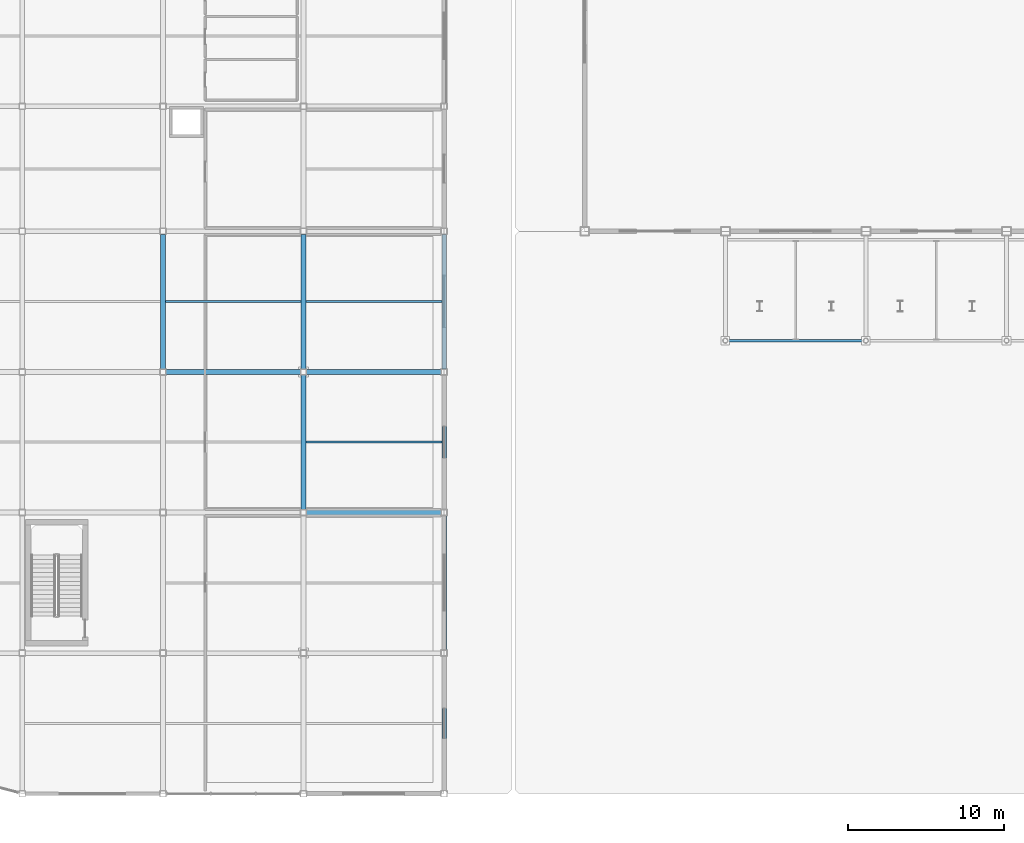
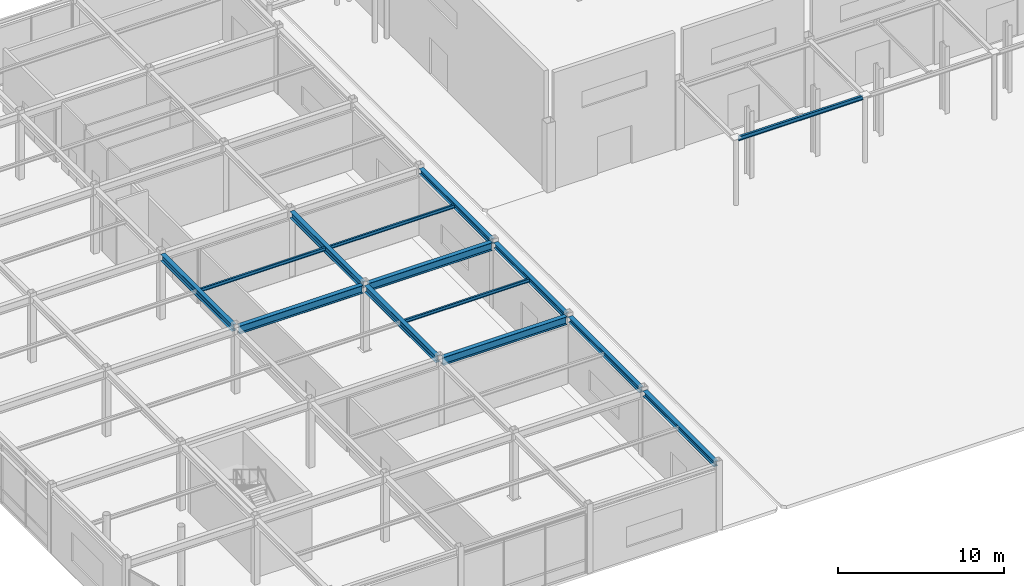
# One storey, part 30 of 123: 14 beams.
"""IFC4 building model written with IfcOpenShell, lengths in metres."""

from ifc_helpers import new_model, si_unit, direction, frame, origin, origin_2d, place, context, subcontext, project, spatial, i_section, extrude, material, material_profile, profile_set, type_object, element, save


model = new_model("IFC4")

# Units and contexts
model_context = context("Model", 3, precision=1e-05, world=origin(), true_north=direction((0.0, 1.0)))
body_context = subcontext(model_context, "Body", "Model", "MODEL_VIEW")
ifc_project = project(units=[si_unit("LENGTHUNIT", "METRE"), si_unit("AREAUNIT", "SQUARE_METRE"), si_unit("VOLUMEUNIT", "CUBIC_METRE"), si_unit("PLANEANGLEUNIT", "RADIAN"), si_unit("MASSUNIT", "GRAM", prefix="KILO")], contexts=[model_context])

# Site, building, storey
site_placement = place(None, origin())
site = spatial("IfcSite", under=ifc_project, at=site_placement, CompositionType="ELEMENT")
building_placement = place(site_placement, origin())
building = spatial("IfcBuilding", under=site, at=building_placement, Name="Suzunagisa Mobility Hub", CompositionType="ELEMENT")
storey_placement = place(building_placement, origin())
storey = spatial("IfcBuildingStorey", under=building, at=storey_placement, Name="L00", CompositionType="ELEMENT", Elevation=0.0)

# Beams
ifc_material_1 = material(Name="Steel SN490B", Category="steel")
ifc_material_profile_1 = material_profile(ifc_material_1, i_section(OverallWidth=0.300048828125, OverallDepth=0.488037109375, WebThickness=0.010986328125, FlangeThickness=0.01806640625, FilletRadius=0.012939453125, at=origin_2d()), Name="H-488x300x11x18")
ifc_profile_set_1 = profile_set([ifc_material_profile_1], Name="Steel SN490B")
beam_type_1 = type_object("IfcBeamType", Name="Steel Beam BM-06 H-488x300x11x18", PredefinedType="BEAM", material=ifc_profile_set_1)
for number, where, z_axis, x_axis, name in (
    (1, (18.0, 27.196044921875, 4.60595703125), (0.0, 1.0, 0.0), (-1.0, 0.0, 0.0), "L00 Primary Girder GY-138"),
    (2, (27.0, 18.196044921875, 4.60595703125), (0.0, 1.0, 0.0), (-1.0, 0.0, 0.0), "L00 Primary Girder GY-144"),
    (3, (27.0, 27.196044921875, 4.60595703125), (0.0, 1.0, 0.0), (-1.0, 0.0, 0.0), "L00 Primary Girder GY-145"),
):
    element("IfcBeam", number, at=place(storey_placement, frame(where, z_axis=z_axis, x_axis=x_axis)), inside=storey, type_object=beam_type_1, Name=name, PredefinedType="BEAM", context=body_context, shape_type="SweptSolid", body=[
        extrude(i_section(OverallWidth=0.300048828125, OverallDepth=0.488037109375, WebThickness=0.010986328125, FlangeThickness=0.01806640625, FilletRadius=0.012939453125, at=origin_2d()), origin(), (0.0, 0.0, 1.0), 8.60791015625),
    ])
ifc_material_profile_2 = material_profile(ifc_material_1, i_section(OverallWidth=0.300048828125, OverallDepth=0.389892578125, WebThickness=0.010009765625, FlangeThickness=0.01611328125, FilletRadius=0.012939453125, at=origin_2d()), Name="H-390x300x10x16")
ifc_profile_set_2 = profile_set([ifc_material_profile_2], Name="Steel SN490B")
beam_type_2 = type_object("IfcBeamType", Name="Steel Beam BM-13 H-390x300x10x16", PredefinedType="SPANDREL", material=ifc_profile_set_2)
for number, where, z_axis, x_axis, name in (
    (4, (36.0, 0.196044921875, 4.655029296875), (0.0, 1.0, 0.0), (-1.0, 0.0, 0.0), "L00 Primary Girder GY-149"),
    (5, (36.0, 9.196044921875, 4.655029296875), (0.0, 1.0, 0.0), (-1.0, 0.0, 0.0), "L00 Primary Girder GY-150"),
    (6, (36.0, 18.196044921875, 4.655029296875), (0.0, 1.0, 0.0), (-1.0, 0.0, 0.0), "L00 Primary Girder GY-151"),
    (7, (36.0, 27.196044921875, 4.655029296875), (0.0, 1.0, 0.0), (-1.0, 0.0, 0.0), "L00 Primary Girder GY-152"),
):
    element("IfcBeam", number, at=place(storey_placement, frame(where, z_axis=z_axis, x_axis=x_axis)), inside=storey, type_object=beam_type_2, Name=name, PredefinedType="SPANDREL", context=body_context, shape_type="SweptSolid", body=[
        extrude(i_section(OverallWidth=0.300048828125, OverallDepth=0.389892578125, WebThickness=0.010009765625, FlangeThickness=0.01611328125, FilletRadius=0.012939453125, at=origin_2d()), origin(), (0.0, 0.0, 1.0), 8.60791015625),
    ])
ifc_material_profile_3 = material_profile(ifc_material_1, i_section(OverallWidth=0.300048828125, OverallDepth=0.587890625, WebThickness=0.011962890625, FlangeThickness=0.02001953125, FilletRadius=0.012939453125, at=origin_2d()), Name="H-588x300x12x20")
ifc_profile_set_3 = profile_set([ifc_material_profile_3], Name="Steel SN490B")
beam_type_3 = type_object("IfcBeamType", Name="Steel Beam BM-16 H-588x300x12x20", PredefinedType="BEAM", material=ifc_profile_set_3)
for number, where, z_axis, x_axis, name in (
    (8, (27.196044921875, 18.0, 4.555908203125), (1.0, 0.0, 0.0), (0.0, 1.0, 0.0), "L00 Primary Girder GX-101"),
    (9, (18.196044921875, 27.0, 4.555908203125), (1.0, 0.0, 0.0), (0.0, 1.0, 0.0), "L00 Primary Girder GX-104"),
    (10, (27.196044921875, 27.0, 4.555908203125), (1.0, 0.0, 0.0), (0.0, 1.0, 0.0), "L00 Primary Girder GX-105"),
):
    element("IfcBeam", number, at=place(storey_placement, frame(where, z_axis=z_axis, x_axis=x_axis)), inside=storey, type_object=beam_type_3, Name=name, PredefinedType="BEAM", context=body_context, shape_type="SweptSolid", body=[
        extrude(i_section(OverallWidth=0.300048828125, OverallDepth=0.587890625, WebThickness=0.011962890625, FlangeThickness=0.02001953125, FilletRadius=0.012939453125, at=origin_2d()), origin(), (0.0, 0.0, 1.0), 8.60791015625),
    ])
ifc_material_2 = material(Name="Steel SN400B", Category="steel")
ifc_material_profile_4 = material_profile(ifc_material_2, i_section(OverallWidth=0.125, OverallDepth=0.25, WebThickness=0.006103515625, FlangeThickness=0.009033203125, FilletRadius=0.008056640625, at=origin_2d()), Name="H-250x125x6x9")
ifc_profile_set_4 = profile_set([ifc_material_profile_4], Name="Steel SN400B")
beam_type_4 = type_object("IfcBeamType", Name="Steel Beam BM-21 H-250x125x6x9", PredefinedType="JOIST", material=ifc_profile_set_4)
for number, where, z_axis, x_axis, name in (
    (11, (18.14990234375, 31.5, 4.72509765625), (1.0, 0.0, 0.0), (0.0, 1.0, 0.0), "L00 Composite Floor Joist J-171"),
    (12, (27.14990234375, 22.5, 4.72509765625), (1.0, 0.0, 0.0), (0.0, 1.0, 0.0), "L00 Composite Floor Joist J-176"),
    (13, (27.14990234375, 31.5, 4.72509765625), (1.0, 0.0, 0.0), (0.0, 1.0, 0.0), "L00 Composite Floor Joist J-177"),
):
    element("IfcBeam", number, at=place(storey_placement, frame(where, z_axis=z_axis, x_axis=x_axis)), inside=storey, type_object=beam_type_4, Name=name, PredefinedType="JOIST", context=body_context, shape_type="SweptSolid", body=[
        extrude(i_section(OverallWidth=0.125, OverallDepth=0.25, WebThickness=0.006103515625, FlangeThickness=0.009033203125, FilletRadius=0.008056640625, at=origin_2d()), origin(), (0.0, 0.0, 1.0), 8.7001953125),
    ])
ifc_material_profile_5 = material_profile(ifc_material_2, i_section(OverallWidth=0.14990234375, OverallDepth=0.300048828125, WebThickness=0.006591796875, FlangeThickness=0.009033203125, FilletRadius=0.008056640625, at=origin_2d()), Name="H-300x150x6.5x9")
ifc_profile_set_5 = profile_set([ifc_material_profile_5], Name="Steel SN400B")
beam_type_5 = type_object("IfcBeamType", Name="Steel Beam BM-24 H-300x150x6.5x9", PredefinedType="JOIST", material=ifc_profile_set_5)
beam_placement = place(storey_placement, frame((54.159912109375, 29.0, 4.7900390625), z_axis=(1.0, 0.0, 0.0), x_axis=(0.0, 1.0, 0.0)))
element("IfcBeam", 14, at=beam_placement, inside=storey, type_object=beam_type_5, Name="L00 Entrance Canopy Fascia Beam 2198", PredefinedType="JOIST", context=body_context, shape_type="SweptSolid", body=[
    extrude(i_section(OverallWidth=0.14990234375, OverallDepth=0.300048828125, WebThickness=0.006591796875, FlangeThickness=0.009033203125, FilletRadius=0.008056640625, at=origin_2d()), origin(), (0.0, 0.0, 1.0), 8.68017578125),
])

save(model, "model.ifc")
